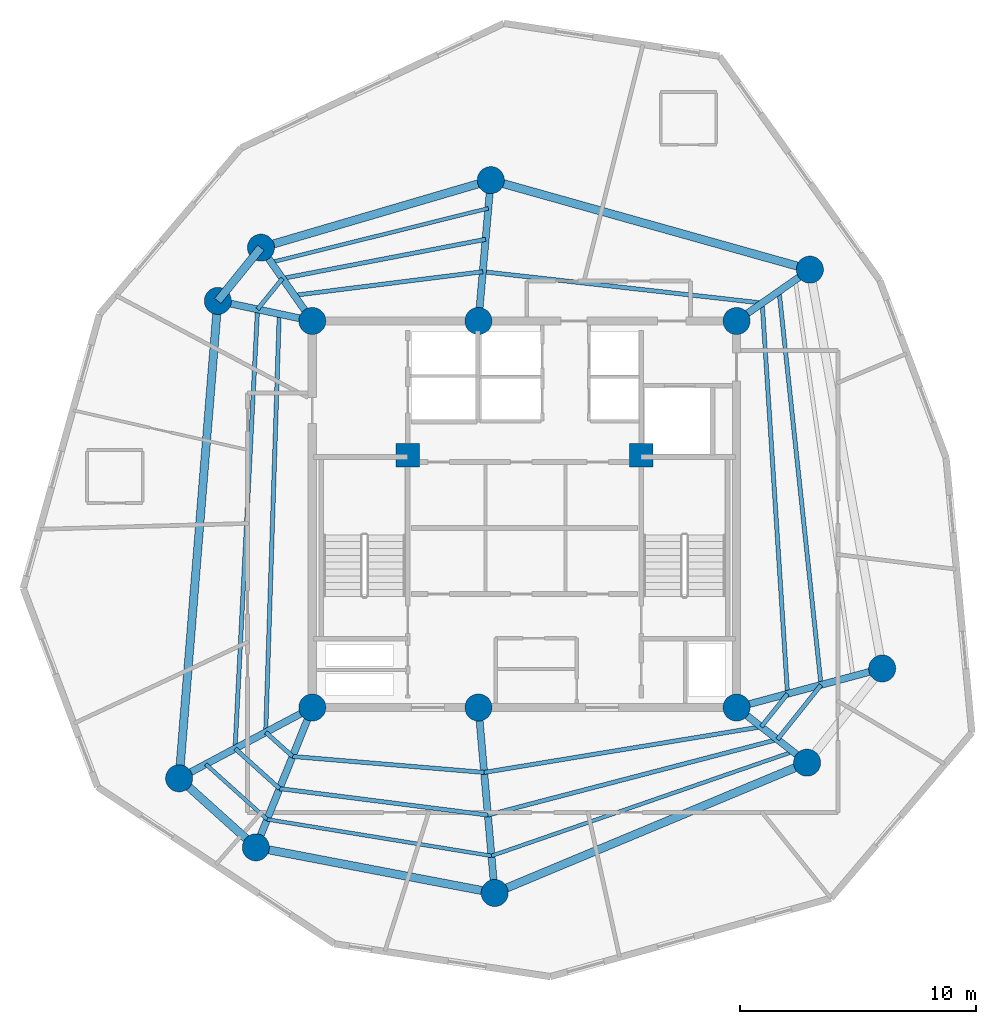
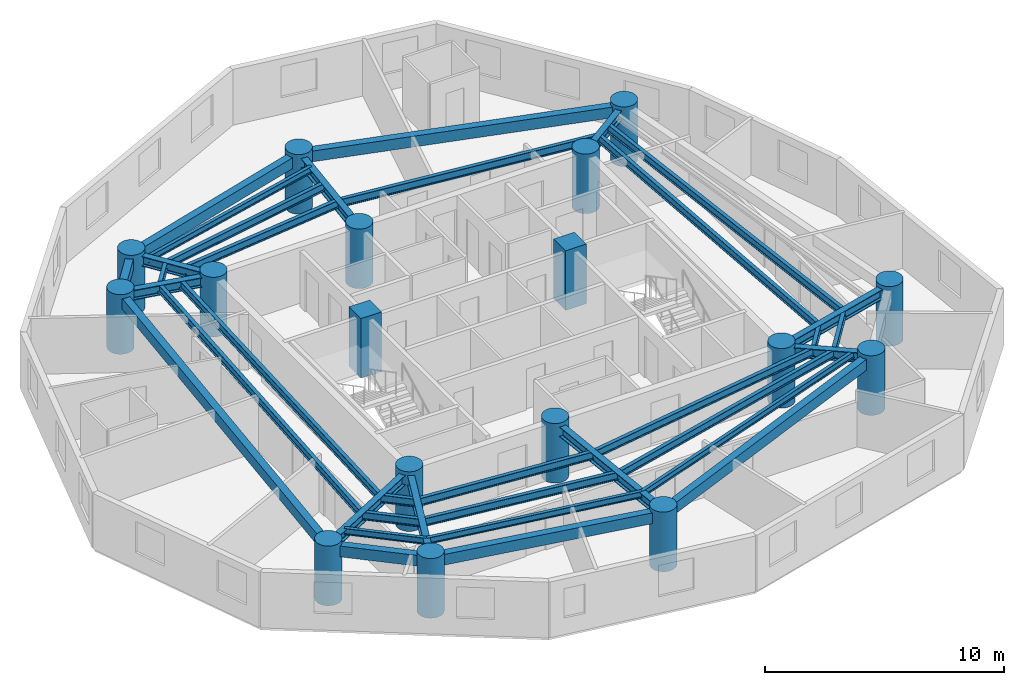
# One storey, part 1 of 7: 36 beams, 17 columns.
"""IFC4 building model written with IfcOpenShell, lengths in metres."""

from ifc_helpers import new_model, si_unit, direction, frame, origin, origin_with_axes, origin_2d, place, context, subcontext, project, spatial, rectangle, circle, i_section, extrude, source, transform, mapped, material, material_profile, profile_set, type_object, element, save


model = new_model("IFC4")

# Units and contexts
model_context = context("Model", 3, precision=1e-05, world=origin(), true_north=direction((0.0, 1.0)))
body_context = subcontext(model_context, "Body", "Model", "MODEL_VIEW")
ifc_project = project(units=[si_unit("LENGTHUNIT", "METRE"), si_unit("AREAUNIT", "SQUARE_METRE"), si_unit("VOLUMEUNIT", "CUBIC_METRE"), si_unit("PLANEANGLEUNIT", "RADIAN"), si_unit("MASSUNIT", "GRAM", prefix="KILO")], contexts=[model_context])

# Site, building, storey
site_placement = place(None, origin())
site = spatial("IfcSite", under=ifc_project, at=site_placement, CompositionType="ELEMENT")
building_placement = place(site_placement, origin())
building = spatial("IfcBuilding", under=site, at=building_placement, Name="Karkom Vertical University and Central Library", CompositionType="ELEMENT")
storey_placement = place(building_placement, frame((0.0, 0.0, 238.25)))
storey = spatial("IfcBuildingStorey", under=building, at=storey_placement, Name="L70", CompositionType="ELEMENT", Elevation=238.25)

# Columns
ifc_material_1 = material(Name="Concrete C50/60", Category="concrete")
ifc_material_profile_1 = material_profile(ifc_material_1, rectangle(XDim=1.0, YDim=1.0, at=origin_2d()), Name="RC-1000x1000")
ifc_profile_set_1 = profile_set([ifc_material_profile_1], Name="Concrete C50/60")
column_type_1 = type_object("IfcColumnType", Name="STR-COL-C-CC2", PredefinedType="COLUMN", material=ifc_profile_set_1)
shared_shape_1 = source(origin_with_axes(), body_context, "Body", "SweptSolid", [
    extrude(rectangle(XDim=1.0, YDim=1.0, at=origin_2d()), origin(), (0.0, 0.0, 1.0), 3.050048828125),
])
for number, where, z_axis, x_axis, name in (
    (1, (23.550048828125, 29.0, 0.0), (0.0, 0.0, 1.0), (1.0, 0.0, 0.0), "Level 70 Core Node Column CC-1"),
    (2, (33.449951171875, 29.0, 0.0), (0.0, 0.0, 1.0), (1.0, 0.0, 0.0), "Level 70 Core Node Column CC-2"),
):
    element("IfcColumn", number, at=place(storey_placement, frame(where, z_axis=z_axis, x_axis=x_axis)), inside=storey, type_object=column_type_1, Name=name, PredefinedType="COLUMN", context=body_context, shape_type="MappedRepresentation", body=[
        mapped(shared_shape_1, transform((0.0, 0.0, 0.0), scale=1.0)),
    ])
ifc_material_2 = material(Name="Concrete C45/55", Category="concrete")
ifc_material_profile_2 = material_profile(ifc_material_2, circle(Radius=0.574951171875, at=origin_2d()), Name="CFT-D1150")
ifc_profile_set_2 = profile_set([ifc_material_profile_2], Name="Concrete C45/55")
column_type_2 = type_object("IfcColumnType", Name="STR-COL-C-SC5", PredefinedType="COLUMN", material=ifc_profile_set_2)
shared_shape_2 = source(origin_with_axes(), body_context, "Body", "SweptSolid", [
    extrude(circle(Radius=0.574951171875, at=origin_2d()), origin(), (0.0, 0.0, 1.0), 3.050048828125),
])
for number, where, z_axis, x_axis, name in (
    (3, (19.5, 18.300048828125, 0.0), (0.0, 0.0, 1.0), (1.0, 0.0, 0.0), "Level 70 Spine Mega-Column SC-1"),
    (4, (26.550048828125, 18.300048828125, 0.0), (0.0, 0.0, 1.0), (1.0, 0.0, 0.0), "Level 70 Spine Mega-Column SC-2"),
    (5, (37.5, 18.300048828125, 0.0), (0.0, 0.0, 1.0), (1.0, 0.0, 0.0), "Level 70 Spine Mega-Column SC-3"),
    (6, (19.5, 34.699951171875, 0.0), (0.0, 0.0, 1.0), (1.0, 0.0, 0.0), "Level 70 Spine Mega-Column SC-4"),
    (7, (26.550048828125, 34.699951171875, 0.0), (0.0, 0.0, 1.0), (1.0, 0.0, 0.0), "Level 70 Spine Mega-Column SC-5"),
    (8, (37.5, 34.699951171875, 0.0), (0.0, 0.0, 1.0), (1.0, 0.0, 0.0), "Level 70 Spine Mega-Column SC-6"),
    (9, (43.681884765625, 19.9560546875, 0.0), (0.0, 0.0, 1.0), (1.0, 0.0, 0.0), "Level 70 Perimeter Mega-Column Z4-PC1"),
    (10, (40.613037109375, 36.8798828125, 0.0), (0.0, 0.0, 1.0), (1.0, 0.0, 0.0), "Level 70 Perimeter Mega-Column Z4-PC2"),
    (11, (27.072998046875, 40.677001953125, 0.0), (0.0, 0.0, 1.0), (1.0, 0.0, 0.0), "Level 70 Perimeter Mega-Column Z4-PC3"),
    (12, (17.320068359375, 37.81298828125, 0.0), (0.0, 0.0, 1.0), (1.0, 0.0, 0.0), "Level 70 Perimeter Mega-Column Z4-PC4"),
    (13, (15.489990234375, 35.552001953125, 0.0), (0.0, 0.0, 1.0), (1.0, 0.0, 0.0), "Level 70 Perimeter Mega-Column Z4-PC5"),
    (14, (13.84912109375, 15.294921875, 0.0), (0.0, 0.0, 1.0), (1.0, 0.0, 0.0), "Level 70 Perimeter Mega-Column Z4-PC6"),
    (15, (17.10302734375, 12.365966796875, 0.0), (0.0, 0.0, 1.0), (1.0, 0.0, 0.0), "Level 70 Perimeter Mega-Column Z4-PC7"),
    (16, (27.239013671875, 10.429931640625, 0.0), (0.0, 0.0, 1.0), (1.0, 0.0, 0.0), "Level 70 Perimeter Mega-Column Z4-PC8"),
    (17, (40.493896484375, 15.9599609375, 0.0), (0.0, 0.0, 1.0), (1.0, 0.0, 0.0), "Level 70 Perimeter Mega-Column Z4-PC9"),
):
    element("IfcColumn", number, at=place(storey_placement, frame(where, z_axis=z_axis, x_axis=x_axis)), inside=storey, type_object=column_type_2, Name=name, PredefinedType="COLUMN", context=body_context, shape_type="MappedRepresentation", body=[
        mapped(shared_shape_2, transform((0.0, 0.0, 0.0), scale=1.0)),
    ])

# Beams
ifc_material_3 = material(Name="Precast concrete C45/55", Category="concrete")
ifc_material_profile_3 = material_profile(ifc_material_3, rectangle(XDim=0.35009765625, YDim=0.550048828125, at=origin_2d()), Name="SPB-350x550")
ifc_profile_set_3 = profile_set([ifc_material_profile_3], Name="Precast concrete C45/55")
beam_type_1 = type_object("IfcBeamType", Name="STR-BM-SP-2", PredefinedType="SPANDREL", material=ifc_profile_set_3)
shared_shape_3 = source(origin_with_axes(), body_context, "Body", "SweptSolid", [
    extrude(rectangle(XDim=0.35009765625, YDim=0.550048828125, at=origin_2d()), origin(), (0.0, 0.0, 1.0), 14.0625),
])
beam_1_placement = place(storey_placement, frame((40.613037109375, 36.8798828125, 2.574951171875), z_axis=(-0.962854853531, 0.270019501207, 0.0), x_axis=(-0.270019501207, -0.962854853531, 0.0)))
element("IfcBeam", 18, at=beam_1_placement, inside=storey, type_object=beam_type_1, Name="Level 70 Perimeter Spandrel Beam 02", PredefinedType="SPANDREL", context=body_context, shape_type="MappedRepresentation", body=[
    mapped(shared_shape_3, transform((0.0, 0.0, 0.0), scale=1.0)),
])
shared_shape_4 = source(origin_with_axes(), body_context, "Body", "SweptSolid", [
    extrude(rectangle(XDim=0.35009765625, YDim=0.550048828125, at=origin_2d()), origin(), (0.0, 0.0, 1.0), 10.164794921875),
])
beam_2_placement = place(storey_placement, frame((27.072998046875, 40.677001953125, 2.574951171875), z_axis=(-0.959485124536, -0.281759286971, 0.0), x_axis=(0.281759286971, -0.959485124536, 0.0)))
element("IfcBeam", 19, at=beam_2_placement, inside=storey, type_object=beam_type_1, Name="Level 70 Perimeter Spandrel Beam 03", PredefinedType="SPANDREL", context=body_context, shape_type="MappedRepresentation", body=[
    mapped(shared_shape_4, transform((0.0, 0.0, 0.0), scale=1.0)),
])
shared_shape_5 = source(origin_with_axes(), body_context, "Body", "SweptSolid", [
    extrude(rectangle(XDim=0.35009765625, YDim=0.550048828125, at=origin_2d()), origin(), (0.0, 0.0, 1.0), 2.908935546875),
])
beam_3_placement = place(storey_placement, frame((17.320068359375, 37.81298828125, 2.574951171875), z_axis=(-0.629147523747, -0.777285914811, 0.0), x_axis=(0.777285914811, -0.629147523747, 0.0)))
element("IfcBeam", 20, at=beam_3_placement, inside=storey, type_object=beam_type_1, Name="Level 70 Perimeter Spandrel Beam 04", PredefinedType="SPANDREL", context=body_context, shape_type="MappedRepresentation", body=[
    mapped(shared_shape_5, transform((0.0, 0.0, 0.0), scale=1.0)),
])
shared_shape_6 = source(origin_with_axes(), body_context, "Body", "SweptSolid", [
    extrude(rectangle(XDim=0.35009765625, YDim=0.550048828125, at=origin_2d()), origin(), (0.0, 0.0, 1.0), 20.323486328125),
])
beam_4_placement = place(storey_placement, frame((15.489990234375, 35.552001953125, 2.574951171875), z_axis=(-0.080737811681, -0.996735373991, 0.0), x_axis=(0.996735373991, -0.080737811681, 0.0)))
element("IfcBeam", 21, at=beam_4_placement, inside=storey, type_object=beam_type_1, Name="Level 70 Perimeter Spandrel Beam 05", PredefinedType="SPANDREL", context=body_context, shape_type="MappedRepresentation", body=[
    mapped(shared_shape_6, transform((0.0, 0.0, 0.0), scale=1.0)),
])
shared_shape_7 = source(origin_with_axes(), body_context, "Body", "SweptSolid", [
    extrude(rectangle(XDim=0.35009765625, YDim=0.550048828125, at=origin_2d()), origin(), (0.0, 0.0, 1.0), 4.3779296875),
])
beam_5_placement = place(storey_placement, frame((13.84912109375, 15.294921875, 2.574951171875), z_axis=(0.743244232405, -0.669020187287, 0.0), x_axis=(0.669020187287, 0.743244232405, 0.0)))
element("IfcBeam", 22, at=beam_5_placement, inside=storey, type_object=beam_type_1, Name="Level 70 Perimeter Spandrel Beam 06", PredefinedType="SPANDREL", context=body_context, shape_type="MappedRepresentation", body=[
    mapped(shared_shape_7, transform((0.0, 0.0, 0.0), scale=1.0)),
])
shared_shape_8 = source(origin_with_axes(), body_context, "Body", "SweptSolid", [
    extrude(rectangle(XDim=0.35009765625, YDim=0.550048828125, at=origin_2d()), origin(), (0.0, 0.0, 1.0), 10.3193359375),
])
beam_6_placement = place(storey_placement, frame((17.10302734375, 12.365966796875, 2.574951171875), z_axis=(0.982242767385, -0.187614354249, 0.0), x_axis=(0.187614354249, 0.982242767385, 0.0)))
element("IfcBeam", 23, at=beam_6_placement, inside=storey, type_object=beam_type_1, Name="Level 70 Perimeter Spandrel Beam 07", PredefinedType="SPANDREL", context=body_context, shape_type="MappedRepresentation", body=[
    mapped(shared_shape_8, transform((0.0, 0.0, 0.0), scale=1.0)),
])
shared_shape_9 = source(origin_with_axes(), body_context, "Body", "SweptSolid", [
    extrude(rectangle(XDim=0.35009765625, YDim=0.550048828125, at=origin_2d()), origin(), (0.0, 0.0, 1.0), 14.3623046875),
])
beam_7_placement = place(storey_placement, frame((27.239013671875, 10.429931640625, 2.574951171875), z_axis=(0.922899796194, 0.385040213725, 0.0), x_axis=(-0.385040213725, 0.922899796194, 0.0)))
element("IfcBeam", 24, at=beam_7_placement, inside=storey, type_object=beam_type_1, Name="Level 70 Perimeter Spandrel Beam 08", PredefinedType="SPANDREL", context=body_context, shape_type="MappedRepresentation", body=[
    mapped(shared_shape_9, transform((0.0, 0.0, 0.0), scale=1.0)),
])
ifc_material_4 = material(Name="Steel S355", Category="steel")
ifc_material_profile_4 = material_profile(ifc_material_4, i_section(OverallWidth=0.179931640625, OverallDepth=0.39990234375, WebThickness=0.008544921875, FlangeThickness=0.013427734375, FilletRadius=0.02099609375, at=origin_2d()), Name="IPE 400")
ifc_profile_set_4 = profile_set([ifc_material_profile_4], Name="Steel S355")
beam_type_2 = type_object("IfcBeamType", Name="STR-BM-SB-IPE400", PredefinedType="BEAM", material=ifc_profile_set_4)
shared_shape_10 = source(origin_with_axes(), body_context, "Body", "SweptSolid", [
    extrude(i_section(OverallWidth=0.179931640625, OverallDepth=0.39990234375, WebThickness=0.008544921875, FlangeThickness=0.013427734375, FilletRadius=0.02099609375, at=origin_2d()), origin(), (0.0, 0.0, 1.0), 16.617919921875),
])
beam_8_placement = place(storey_placement, frame((39.663818359375, 18.879638671875, 2.64990234375), z_axis=(-0.064641848008, 0.997908528617, 0.0), x_axis=(-0.997908528617, -0.064641848008, 0.0)))
element("IfcBeam", 25, at=beam_8_placement, inside=storey, type_object=beam_type_2, Name="Level 70 Secondary Composite Floor Beam 1.01", PredefinedType="BEAM", context=body_context, shape_type="MappedRepresentation", body=[
    mapped(shared_shape_10, transform((0.0, 0.0, 0.0), scale=1.0)),
])
shared_shape_11 = source(origin_with_axes(), body_context, "Body", "SweptSolid", [
    extrude(i_section(OverallWidth=0.179931640625, OverallDepth=0.39990234375, WebThickness=0.008544921875, FlangeThickness=0.013427734375, FilletRadius=0.02099609375, at=origin_2d()), origin(), (0.0, 0.0, 1.0), 11.9306640625),
])
beam_9_placement = place(storey_placement, frame((38.589599609375, 35.462890625, 2.64990234375), z_axis=(-0.993775454886, 0.11140172919, 0.0), x_axis=(-0.11140172919, -0.993775454886, 0.0)))
element("IfcBeam", 26, at=beam_9_placement, inside=storey, type_object=beam_type_2, Name="Level 70 Secondary Composite Floor Beam 1.02", PredefinedType="BEAM", context=body_context, shape_type="MappedRepresentation", body=[
    mapped(shared_shape_11, transform((0.0, 0.0, 0.0), scale=1.0)),
])
shared_shape_12 = source(origin_with_axes(), body_context, "Body", "SweptSolid", [
    extrude(i_section(OverallWidth=0.179931640625, OverallDepth=0.39990234375, WebThickness=0.008544921875, FlangeThickness=0.013427734375, FilletRadius=0.02099609375, at=origin_2d()), origin(), (0.0, 0.0, 1.0), 8.05859375),
])
beam_10_placement = place(storey_placement, frame((26.733154296875, 36.7919921875, 2.64990234375), z_axis=(-0.99223306826, -0.124392677646, 0.0), x_axis=(0.124392677646, -0.99223306826, 0.0)))
element("IfcBeam", 27, at=beam_10_placement, inside=storey, type_object=beam_type_2, Name="Level 70 Secondary Composite Floor Beam 1.03", PredefinedType="BEAM", context=body_context, shape_type="MappedRepresentation", body=[
    mapped(shared_shape_12, transform((0.0, 0.0, 0.0), scale=1.0)),
])
shared_shape_13 = source(origin_with_axes(), body_context, "Body", "SweptSolid", [
    extrude(i_section(OverallWidth=0.179931640625, OverallDepth=0.39990234375, WebThickness=0.008544921875, FlangeThickness=0.013427734375, FilletRadius=0.02099609375, at=origin_2d()), origin(), (0.0, 0.0, 1.0), 17.75927734375),
])
beam_11_placement = place(storey_placement, frame((18.096435546875, 34.998291015625, 2.64990234375), z_axis=(-0.032333437334, -0.999477137723, 0.0), x_axis=(0.999477137723, -0.032333437334, 0.0)))
element("IfcBeam", 28, at=beam_11_placement, inside=storey, type_object=beam_type_2, Name="Level 70 Secondary Composite Floor Beam 1.05", PredefinedType="BEAM", context=body_context, shape_type="MappedRepresentation", body=[
    mapped(shared_shape_13, transform((0.0, 0.0, 0.0), scale=1.0)),
])
shared_shape_14 = source(origin_with_axes(), body_context, "Body", "SweptSolid", [
    extrude(i_section(OverallWidth=0.179931640625, OverallDepth=0.39990234375, WebThickness=0.008544921875, FlangeThickness=0.013427734375, FilletRadius=0.02099609375, at=origin_2d()), origin(), (0.0, 0.0, 1.0), 1.5322265625),
])
beam_12_placement = place(storey_placement, frame((17.522216796875, 17.248291015625, 2.64990234375), z_axis=(0.743183211059, -0.669087972392, 0.0), x_axis=(0.669087972392, 0.743183211059, 0.0)))
element("IfcBeam", 29, at=beam_12_placement, inside=storey, type_object=beam_type_2, Name="Level 70 Secondary Composite Floor Beam 1.06", PredefinedType="BEAM", context=body_context, shape_type="MappedRepresentation", body=[
    mapped(shared_shape_14, transform((0.0, 0.0, 0.0), scale=1.0)),
])
shared_shape_15 = source(origin_with_axes(), body_context, "Body", "SweptSolid", [
    extrude(i_section(OverallWidth=0.179931640625, OverallDepth=0.39990234375, WebThickness=0.008544921875, FlangeThickness=0.013427734375, FilletRadius=0.02099609375, at=origin_2d()), origin(), (0.0, 0.0, 1.0), 8.15869140625),
])
beam_13_placement = place(storey_placement, frame((18.660888671875, 16.22314453125, 2.64990234375), z_axis=(0.996543694183, -0.083070244882, 0.0), x_axis=(0.083070244882, 0.996543694183, 0.0)))
element("IfcBeam", 30, at=beam_13_placement, inside=storey, type_object=beam_type_2, Name="Level 70 Secondary Composite Floor Beam 1.07", PredefinedType="BEAM", context=body_context, shape_type="MappedRepresentation", body=[
    mapped(shared_shape_15, transform((0.0, 0.0, 0.0), scale=1.0)),
])
shared_shape_16 = source(origin_with_axes(), body_context, "Body", "SweptSolid", [
    extrude(i_section(OverallWidth=0.179931640625, OverallDepth=0.39990234375, WebThickness=0.008544921875, FlangeThickness=0.013427734375, FilletRadius=0.02099609375, at=origin_2d()), origin(), (0.0, 0.0, 1.0), 11.914794921875),
])
beam_14_placement = place(storey_placement, frame((26.791259765625, 15.54541015625, 2.64990234375), z_axis=(0.986717073469, 0.162448197663, 0.0), x_axis=(-0.162448197663, 0.986717073469, 0.0)))
element("IfcBeam", 31, at=beam_14_placement, inside=storey, type_object=beam_type_2, Name="Level 70 Secondary Composite Floor Beam 1.08", PredefinedType="BEAM", context=body_context, shape_type="MappedRepresentation", body=[
    mapped(shared_shape_16, transform((0.0, 0.0, 0.0), scale=1.0)),
])
shared_shape_17 = source(origin_with_axes(), body_context, "Body", "SweptSolid", [
    extrude(i_section(OverallWidth=0.179931640625, OverallDepth=0.39990234375, WebThickness=0.008544921875, FlangeThickness=0.013427734375, FilletRadius=0.02099609375, at=origin_2d()), origin(), (0.0, 0.0, 1.0), 1.789306640625),
])
beam_15_placement = place(storey_placement, frame((38.5478515625, 17.48095703125, 2.64990234375), z_axis=(0.623679519349, 0.781680150154, 0.0), x_axis=(-0.781680150154, 0.623679519349, 0.0)))
element("IfcBeam", 32, at=beam_15_placement, inside=storey, type_object=beam_type_2, Name="Level 70 Secondary Composite Floor Beam 1.09", PredefinedType="BEAM", context=body_context, shape_type="MappedRepresentation", body=[
    mapped(shared_shape_17, transform((0.0, 0.0, 0.0), scale=1.0)),
])
shared_shape_18 = source(origin_with_axes(), body_context, "Body", "SweptSolid", [
    extrude(i_section(OverallWidth=0.179931640625, OverallDepth=0.39990234375, WebThickness=0.008544921875, FlangeThickness=0.013427734375, FilletRadius=0.02099609375, at=origin_2d()), origin(), (0.0, 0.0, 1.0), 16.79833984375),
])
beam_16_placement = place(storey_placement, frame((41.085693359375, 19.260498046875, 2.64990234375), z_axis=(-0.105978377704, 0.994368434464, 0.0), x_axis=(-0.994368434464, -0.105978377704, 0.0)))
element("IfcBeam", 33, at=beam_16_placement, inside=storey, type_object=beam_type_2, Name="Level 70 Secondary Composite Floor Beam 2.01", PredefinedType="BEAM", context=body_context, shape_type="MappedRepresentation", body=[
    mapped(shared_shape_18, transform((0.0, 0.0, 0.0), scale=1.0)),
])
shared_shape_19 = source(origin_with_axes(), body_context, "Body", "SweptSolid", [
    extrude(i_section(OverallWidth=0.179931640625, OverallDepth=0.39990234375, WebThickness=0.008544921875, FlangeThickness=0.013427734375, FilletRadius=0.02099609375, at=origin_2d()), origin(), (0.0, 0.0, 1.0), 8.7763671875),
])
beam_17_placement = place(storey_placement, frame((26.853271484375, 38.166748046875, 2.64990234375), z_axis=(-0.981924209256, -0.189274528862, 0.0), x_axis=(0.189274528862, -0.981924209256, 0.0)))
element("IfcBeam", 34, at=beam_17_placement, inside=storey, type_object=beam_type_2, Name="Level 70 Secondary Composite Floor Beam 2.03", PredefinedType="BEAM", context=body_context, shape_type="MappedRepresentation", body=[
    mapped(shared_shape_19, transform((0.0, 0.0, 0.0), scale=1.0)),
])
shared_shape_20 = source(origin_with_axes(), body_context, "Body", "SweptSolid", [
    extrude(i_section(OverallWidth=0.179931640625, OverallDepth=0.39990234375, WebThickness=0.008544921875, FlangeThickness=0.013427734375, FilletRadius=0.02099609375, at=origin_2d()), origin(), (0.0, 0.0, 1.0), 1.68701171875),
])
beam_18_placement = place(storey_placement, frame((18.235595703125, 36.505615234375, 2.64990234375), z_axis=(-0.629044191861, -0.777369541908, 0.0), x_axis=(0.777369541908, -0.629044191861, 0.0)))
element("IfcBeam", 35, at=beam_18_placement, inside=storey, type_object=beam_type_2, Name="Level 70 Secondary Composite Floor Beam 2.04", PredefinedType="BEAM", context=body_context, shape_type="MappedRepresentation", body=[
    mapped(shared_shape_20, transform((0.0, 0.0, 0.0), scale=1.0)),
])
shared_shape_21 = source(origin_with_axes(), body_context, "Body", "SweptSolid", [
    extrude(i_section(OverallWidth=0.179931640625, OverallDepth=0.39990234375, WebThickness=0.008544921875, FlangeThickness=0.013427734375, FilletRadius=0.02099609375, at=origin_2d()), origin(), (0.0, 0.0, 1.0), 18.661376953125),
])
beam_19_placement = place(storey_placement, frame((17.17431640625, 35.194091796875, 2.64990234375), z_axis=(-0.051009656211, -0.998698160093, 0.0), x_axis=(0.998698160093, -0.051009656211, 0.0)))
element("IfcBeam", 36, at=beam_19_placement, inside=storey, type_object=beam_type_2, Name="Level 70 Secondary Composite Floor Beam 2.05", PredefinedType="BEAM", context=body_context, shape_type="MappedRepresentation", body=[
    mapped(shared_shape_21, transform((0.0, 0.0, 0.0), scale=1.0)),
])
shared_shape_22 = source(origin_with_axes(), body_context, "Body", "SweptSolid", [
    extrude(i_section(OverallWidth=0.179931640625, OverallDepth=0.39990234375, WebThickness=0.008544921875, FlangeThickness=0.013427734375, FilletRadius=0.02099609375, at=origin_2d()), origin(), (0.0, 0.0, 1.0), 2.5390625),
])
beam_20_placement = place(storey_placement, frame((16.222412109375, 16.55712890625, 2.64990234375), z_axis=(0.743246334517, -0.669017851949, 0.0), x_axis=(0.669017851949, 0.743246334517, 0.0)))
element("IfcBeam", 37, at=beam_20_placement, inside=storey, type_object=beam_type_2, Name="Level 70 Secondary Composite Floor Beam 2.06", PredefinedType="BEAM", context=body_context, shape_type="MappedRepresentation", body=[
    mapped(shared_shape_22, transform((0.0, 0.0, 0.0), scale=1.0)),
])
shared_shape_23 = source(origin_with_axes(), body_context, "Body", "SweptSolid", [
    extrude(i_section(OverallWidth=0.179931640625, OverallDepth=0.39990234375, WebThickness=0.008544921875, FlangeThickness=0.013427734375, FilletRadius=0.02099609375, at=origin_2d()), origin(), (0.0, 0.0, 1.0), 8.9111328125),
])
beam_21_placement = place(storey_placement, frame((18.109619140625, 14.8583984375, 2.64990234375), z_axis=(0.992026771403, -0.126027317751, 0.0), x_axis=(0.126027317751, 0.992026771403, 0.0)))
element("IfcBeam", 38, at=beam_21_placement, inside=storey, type_object=beam_type_2, Name="Level 70 Secondary Composite Floor Beam 2.07", PredefinedType="BEAM", context=body_context, shape_type="MappedRepresentation", body=[
    mapped(shared_shape_23, transform((0.0, 0.0, 0.0), scale=1.0)),
])
shared_shape_24 = source(origin_with_axes(), body_context, "Body", "SweptSolid", [
    extrude(i_section(OverallWidth=0.179931640625, OverallDepth=0.39990234375, WebThickness=0.008544921875, FlangeThickness=0.013427734375, FilletRadius=0.02099609375, at=origin_2d()), origin(), (0.0, 0.0, 1.0), 12.69873046875),
])
beam_22_placement = place(storey_placement, frame((26.94970703125, 13.7353515625, 2.64990234375), z_axis=(0.967573974729, 0.252587813301, 0.0), x_axis=(-0.252587813301, 0.967573974729, 0.0)))
element("IfcBeam", 39, at=beam_22_placement, inside=storey, type_object=beam_type_2, Name="Level 70 Secondary Composite Floor Beam 2.08", PredefinedType="BEAM", context=body_context, shape_type="MappedRepresentation", body=[
    mapped(shared_shape_24, transform((0.0, 0.0, 0.0), scale=1.0)),
])
shared_shape_25 = source(origin_with_axes(), body_context, "Body", "SweptSolid", [
    extrude(i_section(OverallWidth=0.179931640625, OverallDepth=0.39990234375, WebThickness=0.008544921875, FlangeThickness=0.013427734375, FilletRadius=0.02099609375, at=origin_2d()), origin(), (0.0, 0.0, 1.0), 2.96484375),
])
beam_23_placement = place(storey_placement, frame((39.236572265625, 16.94287109375, 2.64990234375), z_axis=(0.623670236397, 0.781687556657, 0.0), x_axis=(-0.781687556657, 0.623670236397, 0.0)))
element("IfcBeam", 40, at=beam_23_placement, inside=storey, type_object=beam_type_2, Name="Level 70 Secondary Composite Floor Beam 2.09", PredefinedType="BEAM", context=body_context, shape_type="MappedRepresentation", body=[
    mapped(shared_shape_25, transform((0.0, 0.0, 0.0), scale=1.0)),
])
ifc_material_profile_5 = material_profile(ifc_material_4, i_section(OverallWidth=0.159912109375, OverallDepth=0.330078125, WebThickness=0.007568359375, FlangeThickness=0.011474609375, FilletRadius=0.01806640625, at=origin_2d()), Name="IPE 330")
ifc_profile_set_5 = profile_set([ifc_material_profile_5], Name="Steel S355")
beam_type_3 = type_object("IfcBeamType", Name="STR-BM-SB-IPE330", PredefinedType="BEAM", material=ifc_profile_set_5)
shared_shape_26 = source(origin_with_axes(), body_context, "Body", "SweptSolid", [
    extrude(i_section(OverallWidth=0.159912109375, OverallDepth=0.330078125, WebThickness=0.007568359375, FlangeThickness=0.011474609375, FilletRadius=0.01806640625, at=origin_2d()), origin(), (0.0, 0.0, 1.0), 9.4931640625),
])
beam_24_placement = place(storey_placement, frame((26.968505859375, 39.481689453125, 2.68505859375), z_axis=(-0.970435275293, -0.241361505767, 0.0), x_axis=(0.241361505767, -0.970435275293, 0.0)))
element("IfcBeam", 41, at=beam_24_placement, inside=storey, type_object=beam_type_3, Name="Level 70 Secondary Composite Floor Beam 3.03", PredefinedType="BEAM", context=body_context, shape_type="MappedRepresentation", body=[
    mapped(shared_shape_26, transform((0.0, 0.0, 0.0), scale=1.0)),
])
shared_shape_27 = source(origin_with_axes(), body_context, "Body", "SweptSolid", [
    extrude(i_section(OverallWidth=0.159912109375, OverallDepth=0.330078125, WebThickness=0.007568359375, FlangeThickness=0.011474609375, FilletRadius=0.01806640625, at=origin_2d()), origin(), (0.0, 0.0, 1.0), 3.50244140625),
])
beam_25_placement = place(storey_placement, frame((14.979248046875, 15.89599609375, 2.68505859375), z_axis=(0.743249087562, -0.669014793437, 0.0), x_axis=(0.669014793437, 0.743249087562, 0.0)))
element("IfcBeam", 42, at=beam_25_placement, inside=storey, type_object=beam_type_3, Name="Level 70 Secondary Composite Floor Beam 3.06", PredefinedType="BEAM", context=body_context, shape_type="MappedRepresentation", body=[
    mapped(shared_shape_27, transform((0.0, 0.0, 0.0), scale=1.0)),
])
shared_shape_28 = source(origin_with_axes(), body_context, "Body", "SweptSolid", [
    extrude(i_section(OverallWidth=0.159912109375, OverallDepth=0.330078125, WebThickness=0.007568359375, FlangeThickness=0.011474609375, FilletRadius=0.01806640625, at=origin_2d()), origin(), (0.0, 0.0, 1.0), 9.64404296875),
])
beam_26_placement = place(storey_placement, frame((17.58251953125, 13.552734375, 2.68505859375), z_axis=(0.987019497924, -0.160600469231, 0.0), x_axis=(0.160600469231, 0.987019497924, 0.0)))
element("IfcBeam", 43, at=beam_26_placement, inside=storey, type_object=beam_type_3, Name="Level 70 Secondary Composite Floor Beam 3.07", PredefinedType="BEAM", context=body_context, shape_type="MappedRepresentation", body=[
    mapped(shared_shape_28, transform((0.0, 0.0, 0.0), scale=1.0)),
])
shared_shape_29 = source(origin_with_axes(), body_context, "Body", "SweptSolid", [
    extrude(i_section(OverallWidth=0.159912109375, OverallDepth=0.330078125, WebThickness=0.007568359375, FlangeThickness=0.011474609375, FilletRadius=0.01806640625, at=origin_2d()), origin(), (0.0, 0.0, 1.0), 13.537353515625),
])
beam_27_placement = place(storey_placement, frame((27.101318359375, 12.00390625, 2.68505859375), z_axis=(0.945091088216, 0.32680703018, 0.0), x_axis=(-0.32680703018, 0.945091088216, 0.0)))
element("IfcBeam", 44, at=beam_27_placement, inside=storey, type_object=beam_type_3, Name="Level 70 Secondary Composite Floor Beam 3.08", PredefinedType="BEAM", context=body_context, shape_type="MappedRepresentation", body=[
    mapped(shared_shape_29, transform((0.0, 0.0, 0.0), scale=1.0)),
])
ifc_material_profile_6 = material_profile(ifc_material_4, i_section(OverallWidth=0.300048828125, OverallDepth=0.5, WebThickness=0.014404296875, FlangeThickness=0.028076171875, FilletRadius=0.027099609375, at=origin_2d()), Name="HE 500 B")
ifc_profile_set_6 = profile_set([ifc_material_profile_6], Name="Steel S355")
beam_type_4 = type_object("IfcBeamType", Name="STR-BM-SB-HE500", PredefinedType="USERDEFINED", material=ifc_profile_set_6)
shared_shape_30 = source(origin_with_axes(), body_context, "Body", "SweptSolid", [
    extrude(i_section(OverallWidth=0.300048828125, OverallDepth=0.5, WebThickness=0.014404296875, FlangeThickness=0.028076171875, FilletRadius=0.027099609375, at=origin_2d()), origin(), (0.0, 0.0, 1.0), 6.39990234375),
])
for number, where, z_axis, x_axis, name in (
    (45, (37.5, 18.300048828125, 2.60009765625), (0.965942432948, 0.258757060254, 0.0), (-0.258757060254, 0.965942432948, 0.0), "Level 70 Radial Frame Girder 01"),
    (46, (19.5, 18.300048828125, 2.60009765625), (-0.374532429749, -0.927213815183, 0.0), (0.927213815183, -0.374532429749, 0.0), "Level 70 Radial Frame Girder 07"),
):
    element("IfcBeam", number, at=place(storey_placement, frame(where, z_axis=z_axis, x_axis=x_axis)), inside=storey, type_object=beam_type_4, Name=name, ObjectType="GIRDER", PredefinedType="USERDEFINED", context=body_context, shape_type="MappedRepresentation", body=[
        mapped(shared_shape_30, transform((0.0, 0.0, 0.0), scale=1.0)),
    ])
shared_shape_31 = source(origin_with_axes(), body_context, "Body", "SweptSolid", [
    extrude(i_section(OverallWidth=0.300048828125, OverallDepth=0.5, WebThickness=0.014404296875, FlangeThickness=0.028076171875, FilletRadius=0.027099609375, at=origin_2d()), origin(), (0.0, 0.0, 1.0), 3.80029296875),
])
for number, where, z_axis, x_axis, name in (
    (47, (37.5, 34.699951171875, 2.60009765625), (0.819132313625, 0.573604613627, 0.0), (-0.573604613627, 0.819132313625, 0.0), "Level 70 Radial Frame Girder 02"),
    (48, (19.5, 34.699951171875, 2.60009765625), (-0.573604613627, 0.819132313625, 0.0), (-0.819132313625, -0.573604613627, 0.0), "Level 70 Radial Frame Girder 04"),
):
    element("IfcBeam", number, at=place(storey_placement, frame(where, z_axis=z_axis, x_axis=x_axis)), inside=storey, type_object=beam_type_4, Name=name, ObjectType="GIRDER", PredefinedType="USERDEFINED", context=body_context, shape_type="MappedRepresentation", body=[
        mapped(shared_shape_31, transform((0.0, 0.0, 0.0), scale=1.0)),
    ])
shared_shape_32 = source(origin_with_axes(), body_context, "Body", "SweptSolid", [
    extrude(i_section(OverallWidth=0.300048828125, OverallDepth=0.5, WebThickness=0.014404296875, FlangeThickness=0.028076171875, FilletRadius=0.027099609375, at=origin_2d()), origin(), (0.0, 0.0, 1.0), 6.0),
])
beam_28_placement = place(storey_placement, frame((26.550048828125, 34.699951171875, 2.60009765625), z_axis=(0.087159883478, 0.996194335816, 0.0), x_axis=(-0.996194335816, 0.087159883478, 0.0)))
element("IfcBeam", 49, at=beam_28_placement, inside=storey, type_object=beam_type_4, Name="Level 70 Radial Frame Girder 03", ObjectType="GIRDER", PredefinedType="USERDEFINED", context=body_context, shape_type="MappedRepresentation", body=[
    mapped(shared_shape_32, transform((0.0, 0.0, 0.0), scale=1.0)),
])
shared_shape_33 = source(origin_with_axes(), body_context, "Body", "SweptSolid", [
    extrude(i_section(OverallWidth=0.300048828125, OverallDepth=0.5, WebThickness=0.014404296875, FlangeThickness=0.028076171875, FilletRadius=0.027099609375, at=origin_2d()), origin(), (0.0, 0.0, 1.0), 4.099609375),
])
beam_29_placement = place(storey_placement, frame((19.5, 34.699951171875, 2.60009765625), z_axis=(-0.978162634602, 0.207840949453, 0.0), x_axis=(-0.207840949453, -0.978162634602, 0.0)))
element("IfcBeam", 50, at=beam_29_placement, inside=storey, type_object=beam_type_4, Name="Level 70 Radial Frame Girder 05", ObjectType="GIRDER", PredefinedType="USERDEFINED", context=body_context, shape_type="MappedRepresentation", body=[
    mapped(shared_shape_33, transform((0.0, 0.0, 0.0), scale=1.0)),
])
shared_shape_34 = source(origin_with_axes(), body_context, "Body", "SweptSolid", [
    extrude(i_section(OverallWidth=0.300048828125, OverallDepth=0.5, WebThickness=0.014404296875, FlangeThickness=0.028076171875, FilletRadius=0.027099609375, at=origin_2d()), origin(), (0.0, 0.0, 1.0), 6.400146484375),
])
beam_30_placement = place(storey_placement, frame((19.5, 18.300048828125, 2.60009765625), z_axis=(-0.882915120857, -0.469532628645, 0.0), x_axis=(0.469532628645, -0.882915120857, 0.0)))
element("IfcBeam", 51, at=beam_30_placement, inside=storey, type_object=beam_type_4, Name="Level 70 Radial Frame Girder 06", ObjectType="GIRDER", PredefinedType="USERDEFINED", context=body_context, shape_type="MappedRepresentation", body=[
    mapped(shared_shape_34, transform((0.0, 0.0, 0.0), scale=1.0)),
])
shared_shape_35 = source(origin_with_axes(), body_context, "Body", "SweptSolid", [
    extrude(i_section(OverallWidth=0.300048828125, OverallDepth=0.5, WebThickness=0.014404296875, FlangeThickness=0.028076171875, FilletRadius=0.027099609375, at=origin_2d()), origin(), (0.0, 0.0, 1.0), 7.900146484375),
])
beam_31_placement = place(storey_placement, frame((26.550048828125, 18.300048828125, 2.60009765625), z_axis=(0.087208352312, -0.996190093951, 0.0), x_axis=(0.996190093951, 0.087208352312, 0.0)))
element("IfcBeam", 52, at=beam_31_placement, inside=storey, type_object=beam_type_4, Name="Level 70 Radial Frame Girder 08", ObjectType="GIRDER", PredefinedType="USERDEFINED", context=body_context, shape_type="MappedRepresentation", body=[
    mapped(shared_shape_35, transform((0.0, 0.0, 0.0), scale=1.0)),
])
shared_shape_36 = source(origin_with_axes(), body_context, "Body", "SweptSolid", [
    extrude(i_section(OverallWidth=0.300048828125, OverallDepth=0.5, WebThickness=0.014404296875, FlangeThickness=0.028076171875, FilletRadius=0.027099609375, at=origin_2d()), origin(), (0.0, 0.0, 1.0), 3.7998046875),
])
beam_32_placement = place(storey_placement, frame((37.5, 18.300048828125, 2.60009765625), z_axis=(0.787883114707, -0.61582481077, 0.0), x_axis=(0.61582481077, 0.787883114707, 0.0)))
element("IfcBeam", 53, at=beam_32_placement, inside=storey, type_object=beam_type_4, Name="Level 70 Radial Frame Girder 09", ObjectType="GIRDER", PredefinedType="USERDEFINED", context=body_context, shape_type="MappedRepresentation", body=[
    mapped(shared_shape_36, transform((0.0, 0.0, 0.0), scale=1.0)),
])

save(model, "model.ifc")
